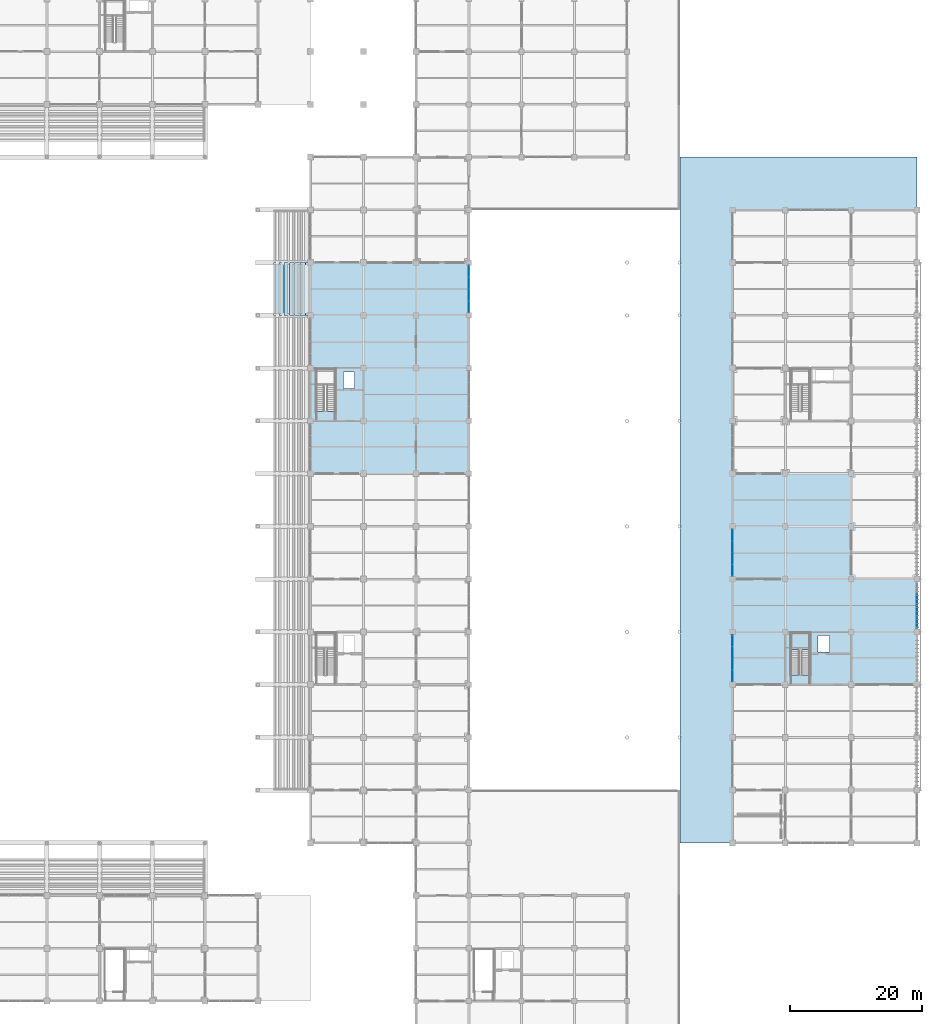
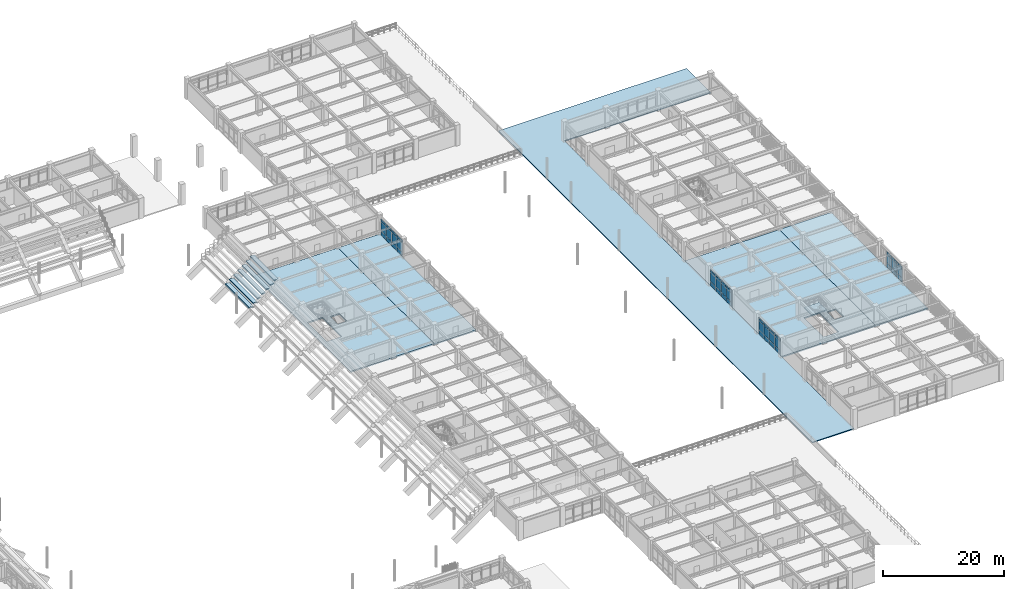
# One storey, part 77 of 118: 45 plates, 13 slabs, 5 elements without a shape of their own.
"""IFC4 building model written with IfcOpenShell, lengths in metres."""

from ifc_helpers import new_model, si_unit, direction, frame, origin, origin_2d, place, context, subcontext, project, spatial, polyline, rectangle, outline, extrude, material, layer, layer_set, type_object, element, aggregate, save


model = new_model("IFC4")

# Units and contexts
model_context = context("Model", 3, precision=1e-05, world=origin(), true_north=direction((0.0, 1.0)))
body_context = subcontext(model_context, "Body", "Model", "MODEL_VIEW")
ifc_project = project(units=[si_unit("LENGTHUNIT", "METRE"), si_unit("AREAUNIT", "SQUARE_METRE"), si_unit("VOLUMEUNIT", "CUBIC_METRE"), si_unit("PLANEANGLEUNIT", "RADIAN"), si_unit("MASSUNIT", "GRAM", prefix="KILO")], contexts=[model_context])

# Site, building, storey
site_placement = place(None, origin())
site = spatial("IfcSite", under=ifc_project, at=site_placement, CompositionType="ELEMENT")
building_placement = place(site_placement, origin())
building = spatial("IfcBuilding", under=site, at=building_placement, Name="Haebicheon Civic Stadium", CompositionType="ELEMENT")
storey_placement = place(building_placement, frame((0.0, 0.0, 14.39990234375)))
storey = spatial("IfcBuildingStorey", under=building, at=storey_placement, Name="L04", CompositionType="ELEMENT", Elevation=14.39990234375)

# Curtain wall, plates
ifc_material_1 = material(Name="Anodised aluminium and laminated glass", Category="aluminium")
ifc_layer_1 = layer(ifc_material_1, 0.179931640625, Name="Anodised aluminium and laminated glass")
ifc_layer_set_1 = layer_set([ifc_layer_1], Name="Anodised aluminium and laminated glass")
curtain_wall_type_1 = type_object("IfcCurtainWallType", Name="CW-7200x3350", PredefinedType="NOTDEFINED", material=ifc_layer_set_1)
curtain_wall_1_placement = place(storey_placement, origin())
curtain_wall_1 = element("IfcCurtainWall", 1, at=curtain_wall_1_placement, inside=storey, type_object=curtain_wall_type_1, material=ifc_layer_set_1, Name="L04 unitised curtain wall 158", PredefinedType="NOTDEFINED")
ifc_material_2 = material(Name="Double low-e acoustic laminated glass", Category="glass")
ifc_layer_2 = layer(ifc_material_2, 0.035888671875, Name="Double low-e acoustic laminated glass")
ifc_layer_set_2 = layer_set([ifc_layer_2], Name="Double low-e acoustic laminated glass")
plate_type_1 = type_object("IfcPlateType", Name="CWP-GLZ-36", PredefinedType="CURTAIN_PANEL", material=ifc_layer_set_2)
plate_1_placement = place(storey_placement, frame((168.0, 121.318115234375, 0.93505859375), z_axis=(0.0, 0.0, 1.0), x_axis=(0.0, 1.0, 0.0)))
plate_1 = element("IfcPlate", 2, at=plate_1_placement, type_object=plate_type_1, material=ifc_layer_set_2, Name="CW-L04-158 vision panel 1.2", PredefinedType="CURTAIN_PANEL", context=body_context, shape_type="SweptSolid", body=[
    extrude(rectangle(XDim=1.695068359375, YDim=0.035888671875, at=origin_2d()), origin(), (0.0, 0.0, 1.0), 1.830078125),
])
plate_2_placement = place(storey_placement, frame((168.0, 123.10009765625, 0.93505859375), z_axis=(0.0, 0.0, 1.0), x_axis=(0.0, 1.0, 0.0)))
plate_2 = element("IfcPlate", 3, at=plate_2_placement, type_object=plate_type_1, material=ifc_layer_set_2, Name="CW-L04-158 vision panel 2.2", PredefinedType="CURTAIN_PANEL", context=body_context, shape_type="SweptSolid", body=[
    extrude(rectangle(XDim=1.72998046875, YDim=0.035888671875, at=origin_2d()), origin(), (0.0, 0.0, 1.0), 1.830078125),
])
plate_3_placement = place(storey_placement, frame((168.0, 124.89990234375, 0.93505859375), z_axis=(0.0, 0.0, 1.0), x_axis=(0.0, 1.0, 0.0)))
plate_3 = element("IfcPlate", 4, at=plate_3_placement, type_object=plate_type_1, material=ifc_layer_set_2, Name="CW-L04-158 vision panel 3.2", PredefinedType="CURTAIN_PANEL", context=body_context, shape_type="SweptSolid", body=[
    extrude(rectangle(XDim=1.72998046875, YDim=0.035888671875, at=origin_2d()), origin(), (0.0, 0.0, 1.0), 1.830078125),
])
plate_4_placement = place(storey_placement, frame((168.0, 126.681884765625, 0.93505859375), z_axis=(0.0, 0.0, 1.0), x_axis=(0.0, 1.0, 0.0)))
plate_4 = element("IfcPlate", 5, at=plate_4_placement, type_object=plate_type_1, material=ifc_layer_set_2, Name="CW-L04-158 vision panel 4.2", PredefinedType="CURTAIN_PANEL", context=body_context, shape_type="SweptSolid", body=[
    extrude(rectangle(XDim=1.695068359375, YDim=0.035888671875, at=origin_2d()), origin(), (0.0, 0.0, 1.0), 1.830078125),
])

ifc_material_3 = material(Name="Anodised aluminium and laminated glass", Category="aluminium")
ifc_layer_3 = layer(ifc_material_3, 0.179931640625, Name="Anodised aluminium and laminated glass")
ifc_layer_set_3 = layer_set([ifc_layer_3], Name="Anodised aluminium and laminated glass")
curtain_wall_type_2 = type_object("IfcCurtainWallType", Name="CW-7100x3330", PredefinedType="NOTDEFINED", material=ifc_layer_set_3)
curtain_wall_2_placement = place(storey_placement, origin())
curtain_wall_2 = element("IfcCurtainWall", 6, at=curtain_wall_2_placement, inside=storey, type_object=curtain_wall_type_2, material=ifc_layer_set_3, Name="L04 unitised curtain wall 170", PredefinedType="NOTDEFINED")
plate_5_placement = place(storey_placement, frame((208.0, 65.35498046875, 0.93505859375), z_axis=(0.0, 0.0, 1.0), x_axis=(0.0, 1.0, 0.0)))
plate_5 = element("IfcPlate", 7, at=plate_5_placement, type_object=plate_type_1, material=ifc_layer_set_2, Name="CW-L04-170 vision panel 1.2", PredefinedType="CURTAIN_PANEL", context=body_context, shape_type="SweptSolid", body=[
    extrude(rectangle(XDim=1.669921875, YDim=0.035888671875, at=origin_2d()), origin(), (0.0, 0.0, 1.0), 1.81005859375),
])
plate_6_placement = place(storey_placement, frame((208.0, 67.112060546875, 0.93505859375), z_axis=(0.0, 0.0, 1.0), x_axis=(0.0, 1.0, 0.0)))
plate_6 = element("IfcPlate", 8, at=plate_6_placement, type_object=plate_type_1, material=ifc_layer_set_2, Name="CW-L04-170 vision panel 2.2", PredefinedType="CURTAIN_PANEL", context=body_context, shape_type="SweptSolid", body=[
    extrude(rectangle(XDim=1.705078125, YDim=0.035888671875, at=origin_2d()), origin(), (0.0, 0.0, 1.0), 1.81005859375),
])
plate_7_placement = place(storey_placement, frame((208.0, 68.887939453125, 0.93505859375), z_axis=(0.0, 0.0, 1.0), x_axis=(0.0, 1.0, 0.0)))
plate_7 = element("IfcPlate", 9, at=plate_7_placement, type_object=plate_type_1, material=ifc_layer_set_2, Name="CW-L04-170 vision panel 3.2", PredefinedType="CURTAIN_PANEL", context=body_context, shape_type="SweptSolid", body=[
    extrude(rectangle(XDim=1.705078125, YDim=0.035888671875, at=origin_2d()), origin(), (0.0, 0.0, 1.0), 1.81005859375),
])
plate_8_placement = place(storey_placement, frame((208.0, 70.64501953125, 0.93505859375), z_axis=(0.0, 0.0, 1.0), x_axis=(0.0, 1.0, 0.0)))
plate_8 = element("IfcPlate", 10, at=plate_8_placement, type_object=plate_type_1, material=ifc_layer_set_2, Name="CW-L04-170 vision panel 4.2", PredefinedType="CURTAIN_PANEL", context=body_context, shape_type="SweptSolid", body=[
    extrude(rectangle(XDim=1.669921875, YDim=0.035888671875, at=origin_2d()), origin(), (0.0, 0.0, 1.0), 1.81005859375),
])

curtain_wall_3_placement = place(storey_placement, origin())
curtain_wall_3 = element("IfcCurtainWall", 11, at=curtain_wall_3_placement, inside=storey, type_object=curtain_wall_type_2, material=ifc_layer_set_3, Name="L04 unitised curtain wall 171", PredefinedType="NOTDEFINED")
plate_9_placement = place(storey_placement, frame((208.0, 81.35498046875, 0.93505859375), z_axis=(0.0, 0.0, 1.0), x_axis=(0.0, 1.0, 0.0)))
plate_9 = element("IfcPlate", 12, at=plate_9_placement, type_object=plate_type_1, material=ifc_layer_set_2, Name="CW-L04-171 vision panel 1.2", PredefinedType="CURTAIN_PANEL", context=body_context, shape_type="SweptSolid", body=[
    extrude(rectangle(XDim=1.669921875, YDim=0.035888671875, at=origin_2d()), origin(), (0.0, 0.0, 1.0), 1.81005859375),
])
plate_10_placement = place(storey_placement, frame((208.0, 83.112060546875, 0.93505859375), z_axis=(0.0, 0.0, 1.0), x_axis=(0.0, 1.0, 0.0)))
plate_10 = element("IfcPlate", 13, at=plate_10_placement, type_object=plate_type_1, material=ifc_layer_set_2, Name="CW-L04-171 vision panel 2.2", PredefinedType="CURTAIN_PANEL", context=body_context, shape_type="SweptSolid", body=[
    extrude(rectangle(XDim=1.705078125, YDim=0.035888671875, at=origin_2d()), origin(), (0.0, 0.0, 1.0), 1.81005859375),
])
plate_11_placement = place(storey_placement, frame((208.0, 84.887939453125, 0.93505859375), z_axis=(0.0, 0.0, 1.0), x_axis=(0.0, 1.0, 0.0)))
plate_11 = element("IfcPlate", 14, at=plate_11_placement, type_object=plate_type_1, material=ifc_layer_set_2, Name="CW-L04-171 vision panel 3.2", PredefinedType="CURTAIN_PANEL", context=body_context, shape_type="SweptSolid", body=[
    extrude(rectangle(XDim=1.705078125, YDim=0.035888671875, at=origin_2d()), origin(), (0.0, 0.0, 1.0), 1.81005859375),
])
plate_12_placement = place(storey_placement, frame((208.0, 86.64501953125, 0.93505859375), z_axis=(0.0, 0.0, 1.0), x_axis=(0.0, 1.0, 0.0)))
plate_12 = element("IfcPlate", 15, at=plate_12_placement, type_object=plate_type_1, material=ifc_layer_set_2, Name="CW-L04-171 vision panel 4.2", PredefinedType="CURTAIN_PANEL", context=body_context, shape_type="SweptSolid", body=[
    extrude(rectangle(XDim=1.669921875, YDim=0.035888671875, at=origin_2d()), origin(), (0.0, 0.0, 1.0), 1.81005859375),
])

ifc_material_4 = material(Name="Anodised aluminium and laminated glass", Category="aluminium")
ifc_layer_4 = layer(ifc_material_4, 0.179931640625, Name="Anodised aluminium and laminated glass")
ifc_layer_set_4 = layer_set([ifc_layer_4], Name="Anodised aluminium and laminated glass")
curtain_wall_type_3 = type_object("IfcCurtainWallType", Name="CW-7100x3230", PredefinedType="NOTDEFINED", material=ifc_layer_set_4)
curtain_wall_4_placement = place(storey_placement, origin())
curtain_wall_4 = element("IfcCurtainWall", 16, at=curtain_wall_4_placement, inside=storey, type_object=curtain_wall_type_3, material=ifc_layer_set_4, Name="L04 unitised curtain wall 178", PredefinedType="NOTDEFINED")
plate_13_placement = place(storey_placement, frame((236.0, 73.35498046875, 0.93505859375), z_axis=(0.0, 0.0, 1.0), x_axis=(0.0, 1.0, 0.0)))
plate_13 = element("IfcPlate", 17, at=plate_13_placement, type_object=plate_type_1, material=ifc_layer_set_2, Name="CW-L04-178 vision panel 1.2", PredefinedType="CURTAIN_PANEL", context=body_context, shape_type="SweptSolid", body=[
    extrude(rectangle(XDim=1.669921875, YDim=0.035888671875, at=origin_2d()), origin(), (0.0, 0.0, 1.0), 1.7099609375),
])
plate_14_placement = place(storey_placement, frame((236.0, 75.112060546875, 0.93505859375), z_axis=(0.0, 0.0, 1.0), x_axis=(0.0, 1.0, 0.0)))
plate_14 = element("IfcPlate", 18, at=plate_14_placement, type_object=plate_type_1, material=ifc_layer_set_2, Name="CW-L04-178 vision panel 2.2", PredefinedType="CURTAIN_PANEL", context=body_context, shape_type="SweptSolid", body=[
    extrude(rectangle(XDim=1.705078125, YDim=0.035888671875, at=origin_2d()), origin(), (0.0, 0.0, 1.0), 1.7099609375),
])
plate_15_placement = place(storey_placement, frame((236.0, 76.887939453125, 0.93505859375), z_axis=(0.0, 0.0, 1.0), x_axis=(0.0, 1.0, 0.0)))
plate_15 = element("IfcPlate", 19, at=plate_15_placement, type_object=plate_type_1, material=ifc_layer_set_2, Name="CW-L04-178 vision panel 3.2", PredefinedType="CURTAIN_PANEL", context=body_context, shape_type="SweptSolid", body=[
    extrude(rectangle(XDim=1.705078125, YDim=0.035888671875, at=origin_2d()), origin(), (0.0, 0.0, 1.0), 1.7099609375),
])

# Plate
ifc_material_5 = material(Name="Anodised aluminium 6063-T6", Category="aluminium")
ifc_layer_5 = layer(ifc_material_5, 0.053955078125, Name="Anodised aluminium 6063-T6")
ifc_layer_set_5 = layer_set([ifc_layer_5], Name="Anodised aluminium 6063-T6")
plate_type_2 = type_object("IfcPlateType", Name="CWP-SPD-54", PredefinedType="CURTAIN_PANEL", material=ifc_layer_set_5)
plate_16_placement = place(storey_placement, frame((168.0, 121.318115234375, 0.03515625), z_axis=(0.0, 0.0, 1.0), x_axis=(0.0, 1.0, 0.0)))
plate_16 = element("IfcPlate", 20, at=plate_16_placement, type_object=plate_type_2, material=ifc_layer_set_5, Name="CW-L04-158 spandrel panel 1.1", PredefinedType="CURTAIN_PANEL", context=body_context, shape_type="SweptSolid", body=[
    extrude(rectangle(XDim=1.695068359375, YDim=0.053955078125, at=origin_2d()), origin(), (0.0, 0.0, 1.0), 0.830078125),
])

plate_17_placement = place(storey_placement, frame((168.0, 121.318115234375, 2.835205078125), z_axis=(0.0, 0.0, 1.0), x_axis=(0.0, 1.0, 0.0)))
plate_17 = element("IfcPlate", 21, at=plate_17_placement, type_object=plate_type_2, material=ifc_layer_set_5, Name="CW-L04-158 spandrel panel 1.3", PredefinedType="CURTAIN_PANEL", context=body_context, shape_type="SweptSolid", body=[
    extrude(rectangle(XDim=1.695068359375, YDim=0.053955078125, at=origin_2d()), origin(), (0.0, 0.0, 1.0), 0.47998046875),
])

plate_18_placement = place(storey_placement, frame((168.0, 123.10009765625, 0.03515625), z_axis=(0.0, 0.0, 1.0), x_axis=(0.0, 1.0, 0.0)))
plate_18 = element("IfcPlate", 22, at=plate_18_placement, type_object=plate_type_2, material=ifc_layer_set_5, Name="CW-L04-158 spandrel panel 2.1", PredefinedType="CURTAIN_PANEL", context=body_context, shape_type="SweptSolid", body=[
    extrude(rectangle(XDim=1.72998046875, YDim=0.053955078125, at=origin_2d()), origin(), (0.0, 0.0, 1.0), 0.830078125),
])

plate_19_placement = place(storey_placement, frame((168.0, 123.10009765625, 2.835205078125), z_axis=(0.0, 0.0, 1.0), x_axis=(0.0, 1.0, 0.0)))
plate_19 = element("IfcPlate", 23, at=plate_19_placement, type_object=plate_type_2, material=ifc_layer_set_5, Name="CW-L04-158 spandrel panel 2.3", PredefinedType="CURTAIN_PANEL", context=body_context, shape_type="SweptSolid", body=[
    extrude(rectangle(XDim=1.72998046875, YDim=0.053955078125, at=origin_2d()), origin(), (0.0, 0.0, 1.0), 0.47998046875),
])

plate_20_placement = place(storey_placement, frame((168.0, 124.89990234375, 0.03515625), z_axis=(0.0, 0.0, 1.0), x_axis=(0.0, 1.0, 0.0)))
plate_20 = element("IfcPlate", 24, at=plate_20_placement, type_object=plate_type_2, material=ifc_layer_set_5, Name="CW-L04-158 spandrel panel 3.1", PredefinedType="CURTAIN_PANEL", context=body_context, shape_type="SweptSolid", body=[
    extrude(rectangle(XDim=1.72998046875, YDim=0.053955078125, at=origin_2d()), origin(), (0.0, 0.0, 1.0), 0.830078125),
])

plate_21_placement = place(storey_placement, frame((168.0, 124.89990234375, 2.835205078125), z_axis=(0.0, 0.0, 1.0), x_axis=(0.0, 1.0, 0.0)))
plate_21 = element("IfcPlate", 25, at=plate_21_placement, type_object=plate_type_2, material=ifc_layer_set_5, Name="CW-L04-158 spandrel panel 3.3", PredefinedType="CURTAIN_PANEL", context=body_context, shape_type="SweptSolid", body=[
    extrude(rectangle(XDim=1.72998046875, YDim=0.053955078125, at=origin_2d()), origin(), (0.0, 0.0, 1.0), 0.47998046875),
])

plate_22_placement = place(storey_placement, frame((168.0, 126.681884765625, 0.03515625), z_axis=(0.0, 0.0, 1.0), x_axis=(0.0, 1.0, 0.0)))
plate_22 = element("IfcPlate", 26, at=plate_22_placement, type_object=plate_type_2, material=ifc_layer_set_5, Name="CW-L04-158 spandrel panel 4.1", PredefinedType="CURTAIN_PANEL", context=body_context, shape_type="SweptSolid", body=[
    extrude(rectangle(XDim=1.695068359375, YDim=0.053955078125, at=origin_2d()), origin(), (0.0, 0.0, 1.0), 0.830078125),
])

plate_23_placement = place(storey_placement, frame((168.0, 126.681884765625, 2.835205078125), z_axis=(0.0, 0.0, 1.0), x_axis=(0.0, 1.0, 0.0)))
plate_23 = element("IfcPlate", 27, at=plate_23_placement, type_object=plate_type_2, material=ifc_layer_set_5, Name="CW-L04-158 spandrel panel 4.3", PredefinedType="CURTAIN_PANEL", context=body_context, shape_type="SweptSolid", body=[
    extrude(rectangle(XDim=1.695068359375, YDim=0.053955078125, at=origin_2d()), origin(), (0.0, 0.0, 1.0), 0.47998046875),
])

aggregate(curtain_wall_1, [plate_16, plate_1, plate_17, plate_18, plate_2, plate_19, plate_20, plate_3, plate_21, plate_22, plate_4, plate_23])

plate_24_placement = place(storey_placement, frame((208.0, 65.35498046875, 0.03515625), z_axis=(0.0, 0.0, 1.0), x_axis=(0.0, 1.0, 0.0)))
plate_24 = element("IfcPlate", 28, at=plate_24_placement, type_object=plate_type_2, material=ifc_layer_set_5, Name="CW-L04-170 spandrel panel 1.1", PredefinedType="CURTAIN_PANEL", context=body_context, shape_type="SweptSolid", body=[
    extrude(rectangle(XDim=1.669921875, YDim=0.053955078125, at=origin_2d()), origin(), (0.0, 0.0, 1.0), 0.830078125),
])

plate_25_placement = place(storey_placement, frame((208.0, 65.35498046875, 2.815185546875), z_axis=(0.0, 0.0, 1.0), x_axis=(0.0, 1.0, 0.0)))
plate_25 = element("IfcPlate", 29, at=plate_25_placement, type_object=plate_type_2, material=ifc_layer_set_5, Name="CW-L04-170 spandrel panel 1.3", PredefinedType="CURTAIN_PANEL", context=body_context, shape_type="SweptSolid", body=[
    extrude(rectangle(XDim=1.669921875, YDim=0.053955078125, at=origin_2d()), origin(), (0.0, 0.0, 1.0), 0.47998046875),
])

plate_26_placement = place(storey_placement, frame((208.0, 67.112060546875, 0.03515625), z_axis=(0.0, 0.0, 1.0), x_axis=(0.0, 1.0, 0.0)))
plate_26 = element("IfcPlate", 30, at=plate_26_placement, type_object=plate_type_2, material=ifc_layer_set_5, Name="CW-L04-170 spandrel panel 2.1", PredefinedType="CURTAIN_PANEL", context=body_context, shape_type="SweptSolid", body=[
    extrude(rectangle(XDim=1.705078125, YDim=0.053955078125, at=origin_2d()), origin(), (0.0, 0.0, 1.0), 0.830078125),
])

plate_27_placement = place(storey_placement, frame((208.0, 67.112060546875, 2.815185546875), z_axis=(0.0, 0.0, 1.0), x_axis=(0.0, 1.0, 0.0)))
plate_27 = element("IfcPlate", 31, at=plate_27_placement, type_object=plate_type_2, material=ifc_layer_set_5, Name="CW-L04-170 spandrel panel 2.3", PredefinedType="CURTAIN_PANEL", context=body_context, shape_type="SweptSolid", body=[
    extrude(rectangle(XDim=1.705078125, YDim=0.053955078125, at=origin_2d()), origin(), (0.0, 0.0, 1.0), 0.47998046875),
])

plate_28_placement = place(storey_placement, frame((208.0, 68.887939453125, 0.03515625), z_axis=(0.0, 0.0, 1.0), x_axis=(0.0, 1.0, 0.0)))
plate_28 = element("IfcPlate", 32, at=plate_28_placement, type_object=plate_type_2, material=ifc_layer_set_5, Name="CW-L04-170 spandrel panel 3.1", PredefinedType="CURTAIN_PANEL", context=body_context, shape_type="SweptSolid", body=[
    extrude(rectangle(XDim=1.705078125, YDim=0.053955078125, at=origin_2d()), origin(), (0.0, 0.0, 1.0), 0.830078125),
])

plate_29_placement = place(storey_placement, frame((208.0, 68.887939453125, 2.815185546875), z_axis=(0.0, 0.0, 1.0), x_axis=(0.0, 1.0, 0.0)))
plate_29 = element("IfcPlate", 33, at=plate_29_placement, type_object=plate_type_2, material=ifc_layer_set_5, Name="CW-L04-170 spandrel panel 3.3", PredefinedType="CURTAIN_PANEL", context=body_context, shape_type="SweptSolid", body=[
    extrude(rectangle(XDim=1.705078125, YDim=0.053955078125, at=origin_2d()), origin(), (0.0, 0.0, 1.0), 0.47998046875),
])

plate_30_placement = place(storey_placement, frame((208.0, 70.64501953125, 0.03515625), z_axis=(0.0, 0.0, 1.0), x_axis=(0.0, 1.0, 0.0)))
plate_30 = element("IfcPlate", 34, at=plate_30_placement, type_object=plate_type_2, material=ifc_layer_set_5, Name="CW-L04-170 spandrel panel 4.1", PredefinedType="CURTAIN_PANEL", context=body_context, shape_type="SweptSolid", body=[
    extrude(rectangle(XDim=1.669921875, YDim=0.053955078125, at=origin_2d()), origin(), (0.0, 0.0, 1.0), 0.830078125),
])

plate_31_placement = place(storey_placement, frame((208.0, 70.64501953125, 2.815185546875), z_axis=(0.0, 0.0, 1.0), x_axis=(0.0, 1.0, 0.0)))
plate_31 = element("IfcPlate", 35, at=plate_31_placement, type_object=plate_type_2, material=ifc_layer_set_5, Name="CW-L04-170 spandrel panel 4.3", PredefinedType="CURTAIN_PANEL", context=body_context, shape_type="SweptSolid", body=[
    extrude(rectangle(XDim=1.669921875, YDim=0.053955078125, at=origin_2d()), origin(), (0.0, 0.0, 1.0), 0.47998046875),
])

aggregate(curtain_wall_2, [plate_24, plate_5, plate_25, plate_26, plate_6, plate_27, plate_28, plate_7, plate_29, plate_30, plate_8, plate_31])

plate_32_placement = place(storey_placement, frame((208.0, 81.35498046875, 0.03515625), z_axis=(0.0, 0.0, 1.0), x_axis=(0.0, 1.0, 0.0)))
plate_32 = element("IfcPlate", 36, at=plate_32_placement, type_object=plate_type_2, material=ifc_layer_set_5, Name="CW-L04-171 spandrel panel 1.1", PredefinedType="CURTAIN_PANEL", context=body_context, shape_type="SweptSolid", body=[
    extrude(rectangle(XDim=1.669921875, YDim=0.053955078125, at=origin_2d()), origin(), (0.0, 0.0, 1.0), 0.830078125),
])

plate_33_placement = place(storey_placement, frame((208.0, 81.35498046875, 2.815185546875), z_axis=(0.0, 0.0, 1.0), x_axis=(0.0, 1.0, 0.0)))
plate_33 = element("IfcPlate", 37, at=plate_33_placement, type_object=plate_type_2, material=ifc_layer_set_5, Name="CW-L04-171 spandrel panel 1.3", PredefinedType="CURTAIN_PANEL", context=body_context, shape_type="SweptSolid", body=[
    extrude(rectangle(XDim=1.669921875, YDim=0.053955078125, at=origin_2d()), origin(), (0.0, 0.0, 1.0), 0.47998046875),
])

plate_34_placement = place(storey_placement, frame((208.0, 83.112060546875, 0.03515625), z_axis=(0.0, 0.0, 1.0), x_axis=(0.0, 1.0, 0.0)))
plate_34 = element("IfcPlate", 38, at=plate_34_placement, type_object=plate_type_2, material=ifc_layer_set_5, Name="CW-L04-171 spandrel panel 2.1", PredefinedType="CURTAIN_PANEL", context=body_context, shape_type="SweptSolid", body=[
    extrude(rectangle(XDim=1.705078125, YDim=0.053955078125, at=origin_2d()), origin(), (0.0, 0.0, 1.0), 0.830078125),
])

plate_35_placement = place(storey_placement, frame((208.0, 83.112060546875, 2.815185546875), z_axis=(0.0, 0.0, 1.0), x_axis=(0.0, 1.0, 0.0)))
plate_35 = element("IfcPlate", 39, at=plate_35_placement, type_object=plate_type_2, material=ifc_layer_set_5, Name="CW-L04-171 spandrel panel 2.3", PredefinedType="CURTAIN_PANEL", context=body_context, shape_type="SweptSolid", body=[
    extrude(rectangle(XDim=1.705078125, YDim=0.053955078125, at=origin_2d()), origin(), (0.0, 0.0, 1.0), 0.47998046875),
])

plate_36_placement = place(storey_placement, frame((208.0, 84.887939453125, 0.03515625), z_axis=(0.0, 0.0, 1.0), x_axis=(0.0, 1.0, 0.0)))
plate_36 = element("IfcPlate", 40, at=plate_36_placement, type_object=plate_type_2, material=ifc_layer_set_5, Name="CW-L04-171 spandrel panel 3.1", PredefinedType="CURTAIN_PANEL", context=body_context, shape_type="SweptSolid", body=[
    extrude(rectangle(XDim=1.705078125, YDim=0.053955078125, at=origin_2d()), origin(), (0.0, 0.0, 1.0), 0.830078125),
])

plate_37_placement = place(storey_placement, frame((208.0, 84.887939453125, 2.815185546875), z_axis=(0.0, 0.0, 1.0), x_axis=(0.0, 1.0, 0.0)))
plate_37 = element("IfcPlate", 41, at=plate_37_placement, type_object=plate_type_2, material=ifc_layer_set_5, Name="CW-L04-171 spandrel panel 3.3", PredefinedType="CURTAIN_PANEL", context=body_context, shape_type="SweptSolid", body=[
    extrude(rectangle(XDim=1.705078125, YDim=0.053955078125, at=origin_2d()), origin(), (0.0, 0.0, 1.0), 0.47998046875),
])

plate_38_placement = place(storey_placement, frame((208.0, 86.64501953125, 0.03515625), z_axis=(0.0, 0.0, 1.0), x_axis=(0.0, 1.0, 0.0)))
plate_38 = element("IfcPlate", 42, at=plate_38_placement, type_object=plate_type_2, material=ifc_layer_set_5, Name="CW-L04-171 spandrel panel 4.1", PredefinedType="CURTAIN_PANEL", context=body_context, shape_type="SweptSolid", body=[
    extrude(rectangle(XDim=1.669921875, YDim=0.053955078125, at=origin_2d()), origin(), (0.0, 0.0, 1.0), 0.830078125),
])

plate_39_placement = place(storey_placement, frame((208.0, 86.64501953125, 2.815185546875), z_axis=(0.0, 0.0, 1.0), x_axis=(0.0, 1.0, 0.0)))
plate_39 = element("IfcPlate", 43, at=plate_39_placement, type_object=plate_type_2, material=ifc_layer_set_5, Name="CW-L04-171 spandrel panel 4.3", PredefinedType="CURTAIN_PANEL", context=body_context, shape_type="SweptSolid", body=[
    extrude(rectangle(XDim=1.669921875, YDim=0.053955078125, at=origin_2d()), origin(), (0.0, 0.0, 1.0), 0.47998046875),
])

aggregate(curtain_wall_3, [plate_32, plate_9, plate_33, plate_34, plate_10, plate_35, plate_36, plate_11, plate_37, plate_38, plate_12, plate_39])

plate_40_placement = place(storey_placement, frame((236.0, 73.35498046875, 0.03515625), z_axis=(0.0, 0.0, 1.0), x_axis=(0.0, 1.0, 0.0)))
plate_40 = element("IfcPlate", 44, at=plate_40_placement, type_object=plate_type_2, material=ifc_layer_set_5, Name="CW-L04-178 spandrel panel 1.1", PredefinedType="CURTAIN_PANEL", context=body_context, shape_type="SweptSolid", body=[
    extrude(rectangle(XDim=1.669921875, YDim=0.053955078125, at=origin_2d()), origin(), (0.0, 0.0, 1.0), 0.830078125),
])

plate_41_placement = place(storey_placement, frame((236.0, 73.35498046875, 2.715087890625), z_axis=(0.0, 0.0, 1.0), x_axis=(0.0, 1.0, 0.0)))
plate_41 = element("IfcPlate", 45, at=plate_41_placement, type_object=plate_type_2, material=ifc_layer_set_5, Name="CW-L04-178 spandrel panel 1.3", PredefinedType="CURTAIN_PANEL", context=body_context, shape_type="SweptSolid", body=[
    extrude(rectangle(XDim=1.669921875, YDim=0.053955078125, at=origin_2d()), origin(), (0.0, 0.0, 1.0), 0.47998046875),
])

plate_42_placement = place(storey_placement, frame((236.0, 75.112060546875, 0.03515625), z_axis=(0.0, 0.0, 1.0), x_axis=(0.0, 1.0, 0.0)))
plate_42 = element("IfcPlate", 46, at=plate_42_placement, type_object=plate_type_2, material=ifc_layer_set_5, Name="CW-L04-178 spandrel panel 2.1", PredefinedType="CURTAIN_PANEL", context=body_context, shape_type="SweptSolid", body=[
    extrude(rectangle(XDim=1.705078125, YDim=0.053955078125, at=origin_2d()), origin(), (0.0, 0.0, 1.0), 0.830078125),
])

plate_43_placement = place(storey_placement, frame((236.0, 75.112060546875, 2.715087890625), z_axis=(0.0, 0.0, 1.0), x_axis=(0.0, 1.0, 0.0)))
plate_43 = element("IfcPlate", 47, at=plate_43_placement, type_object=plate_type_2, material=ifc_layer_set_5, Name="CW-L04-178 spandrel panel 2.3", PredefinedType="CURTAIN_PANEL", context=body_context, shape_type="SweptSolid", body=[
    extrude(rectangle(XDim=1.705078125, YDim=0.053955078125, at=origin_2d()), origin(), (0.0, 0.0, 1.0), 0.47998046875),
])

plate_44_placement = place(storey_placement, frame((236.0, 76.887939453125, 0.03515625), z_axis=(0.0, 0.0, 1.0), x_axis=(0.0, 1.0, 0.0)))
plate_44 = element("IfcPlate", 48, at=plate_44_placement, type_object=plate_type_2, material=ifc_layer_set_5, Name="CW-L04-178 spandrel panel 3.1", PredefinedType="CURTAIN_PANEL", context=body_context, shape_type="SweptSolid", body=[
    extrude(rectangle(XDim=1.705078125, YDim=0.053955078125, at=origin_2d()), origin(), (0.0, 0.0, 1.0), 0.830078125),
])

plate_45_placement = place(storey_placement, frame((236.0, 76.887939453125, 2.715087890625), z_axis=(0.0, 0.0, 1.0), x_axis=(0.0, 1.0, 0.0)))
plate_45 = element("IfcPlate", 49, at=plate_45_placement, type_object=plate_type_2, material=ifc_layer_set_5, Name="CW-L04-178 spandrel panel 3.3", PredefinedType="CURTAIN_PANEL", context=body_context, shape_type="SweptSolid", body=[
    extrude(rectangle(XDim=1.705078125, YDim=0.053955078125, at=origin_2d()), origin(), (0.0, 0.0, 1.0), 0.47998046875),
])

aggregate(curtain_wall_4, [plate_40, plate_13, plate_41, plate_42, plate_14, plate_43, plate_44, plate_15, plate_45])

# Slabs
ifc_material_6 = material(Name="Concrete C40/50", Category="concrete")
ifc_layer_6 = layer(ifc_material_6, 0.260009765625, Name="Concrete C40/50")
ifc_layer_set_6 = layer_set([ifc_layer_6], Name="Concrete C40/50")
slab_type_1 = type_object("IfcSlabType", Name="SLB-FLR-260", PredefinedType="FLOOR", material=ifc_layer_set_6)
slab_1_placement = place(storey_placement, frame((0.0, 0.0, -0.260009765625)))
element("IfcSlab", 50, at=slab_1_placement, inside=storey, type_object=slab_type_1, material=ifc_layer_set_6, Name="L04 V2 structural slab 10.1", PredefinedType="FLOOR", context=body_context, shape_type="SweptSolid", body=[
    extrude(outline(polyline([(144.0, 112.0), (144.0, 120.0), (144.0, 128.0), (152.0, 128.0), (160.0, 128.0), (160.0, 120.0), (160.0, 112.0), (160.0, 104.0), (160.0, 96.0), (152.0, 96.0), (144.0, 96.0), (144.0, 104.0), (144.0, 112.0)]), holes=[polyline([(144.840087890625, 105.4599609375), (147.739990234375, 105.4599609375), (147.739990234375, 111.840087890625), (144.840087890625, 111.840087890625), (144.840087890625, 105.4599609375)]), polyline([(148.969970703125, 108.929931640625), (150.669921875, 108.929931640625), (150.669921875, 111.429931640625), (148.969970703125, 111.429931640625), (148.969970703125, 108.929931640625)])]), origin(), (0.0, 0.0, 1.0), 0.260009765625),
])
slab_2_placement = place(storey_placement, frame((0.0, 0.0, -0.260009765625)))
element("IfcSlab", 51, at=slab_2_placement, inside=storey, type_object=slab_type_1, material=ifc_layer_set_6, Name="L04 V3 structural slab 2.1", PredefinedType="FLOOR", context=body_context, shape_type="SweptSolid", body=[
    extrude(outline(polyline([(208.0, 80.0), (208.0, 88.0), (208.0, 96.0), (216.0, 96.0), (226.0, 96.0), (226.0, 88.0), (226.0, 80.0), (226.0, 72.0), (226.0, 64.0), (216.0, 64.0), (208.0, 64.0), (208.0, 72.0), (208.0, 80.0)]), holes=[polyline([(216.840087890625, 65.4599609375), (219.739990234375, 65.4599609375), (219.739990234375, 71.840087890625), (216.840087890625, 71.840087890625), (216.840087890625, 65.4599609375)]), polyline([(220.969970703125, 68.929931640625), (222.669921875, 68.929931640625), (222.669921875, 71.429931640625), (220.969970703125, 71.429931640625), (220.969970703125, 68.929931640625)])]), origin(), (0.0, 0.0, 1.0), 0.260009765625),
])
slab_3_placement = place(storey_placement, frame((0.0, 0.0, -0.260009765625)))
element("IfcSlab", 52, at=slab_3_placement, inside=storey, type_object=slab_type_1, material=ifc_layer_set_6, Name="L04 V3 structural slab 6.1", PredefinedType="FLOOR", context=body_context, shape_type="SweptSolid", body=[
    extrude(outline(polyline([(226.0, 64.0), (226.0, 72.0), (226.0, 80.0), (226.0, 88.0), (226.0, 96.0), (236.0, 96.0), (236.0, 88.0), (236.0, 80.0), (236.0, 72.0), (236.0, 64.0), (226.0, 64.0)])), origin(), (0.0, 0.0, 1.0), 0.260009765625),
])
slab_4_placement = place(storey_placement, frame((0.0, 0.0, -0.260009765625)))
element("IfcSlab", 53, at=slab_4_placement, inside=storey, type_object=slab_type_1, material=ifc_layer_set_6, Name="L04 V4 structural slab 4.1", PredefinedType="FLOOR", context=body_context, shape_type="SweptSolid", body=[
    extrude(outline(polyline([(160.0, 96.0), (160.0, 104.0), (160.0, 112.0), (160.0, 120.0), (160.0, 128.0), (168.0, 128.0), (168.0, 120.0), (168.0, 112.0), (168.0, 104.0), (168.0, 96.0), (160.0, 96.0)])), origin(), (0.0, 0.0, 1.0), 0.260009765625),
])

# Stair, slab
ifc_material_7 = material(Name="Concrete C40/50", Category="concrete")
stair_type = type_object("IfcStairType", Name="STR-DL-W128-H42", PredefinedType="HALF_TURN_STAIR", material=ifc_material_7)
stair_placement = place(storey_placement, origin())
stair = element("IfcStair", 54, at=stair_placement, inside=storey, type_object=stair_type, material=ifc_material_7, Name="L04 Escape stair ST-12", PredefinedType="HALF_TURN_STAIR")
ifc_material_8 = material(Name="Concrete C40/50", Category="concrete")
ifc_layer_7 = layer(ifc_material_8, 0.199951171875, Name="Concrete C40/50")
ifc_layer_set_7 = layer_set([ifc_layer_7], Name="Concrete C40/50")
slab_type_2 = type_object("IfcSlabType", Name="SLB-LND-200", PredefinedType="LANDING", material=ifc_layer_set_7)
slab_5_placement = place(storey_placement, frame((0.0, 0.0, 1.900146484375)))
slab_5 = element("IfcSlab", 55, at=slab_5_placement, type_object=slab_type_2, material=ifc_layer_set_7, Name="ST-12 landing 1", PredefinedType="LANDING", context=body_context, shape_type="SweptSolid", body=[
    extrude(outline(polyline([(219.739990234375, 69.35009765625), (219.739990234375, 71.840087890625), (216.840087890625, 71.840087890625), (216.840087890625, 69.35009765625), (219.739990234375, 69.35009765625)])), origin(), (0.0, 0.0, 1.0), 0.199951171875),
])
aggregate(stair, [slab_5])

# Slabs
ifc_material_9 = material(Name="Concrete C40/50", Category="concrete")
ifc_layer_8 = layer(ifc_material_9, 0.18994140625, Name="Concrete C40/50")
ifc_layer_set_8 = layer_set([ifc_layer_8], Name="Concrete C40/50")
slab_type_3 = type_object("IfcSlabType", Name="SLB-ROOF-190", PredefinedType="ROOF", material=ifc_layer_set_8)
slab_6_placement = place(storey_placement, frame((0.0, 0.0, -0.18994140625)))
element("IfcSlab", 56, at=slab_6_placement, inside=storey, type_object=slab_type_3, material=ifc_layer_set_8, Name="L04 V3 roof deck slab 1", PredefinedType="ROOF", context=body_context, shape_type="SweptSolid", body=[
    extrude(outline(polyline([(200.0, 40.0), (200.0, 144.0), (236.0, 144.0), (236.0, 136.0), (208.0, 136.0), (208.0, 40.0), (200.0, 40.0)])), origin(), (0.0, 0.0, 1.0), 0.18994140625),
])
ifc_material_10 = material(Name="Precast concrete C40/50", Category="concrete")
ifc_layer_9 = layer(ifc_material_10, 0.239990234375, Name="Precast concrete C40/50")
ifc_layer_set_9 = layer_set([ifc_layer_9], Name="Precast concrete C40/50")
slab_type_4 = type_object("IfcSlabType", Name="SLB-TIER-240", PredefinedType="USERDEFINED", material=ifc_layer_set_9)
slab_7_placement = place(storey_placement, frame((0.0, 0.0, 0.093017578125)))
element("IfcSlab", 57, at=slab_7_placement, inside=storey, type_object=slab_type_4, material=ifc_layer_set_9, Name="TIER-E-U precast seating tier bay 10 row-band 4", ObjectType="SEATING TIER", PredefinedType="USERDEFINED", context=body_context, shape_type="SweptSolid", body=[
    extrude(outline(polyline([(138.39990234375, 120.0), (139.199951171875, 120.0), (139.199951171875, 128.0), (138.39990234375, 128.0), (138.39990234375, 120.0)])), origin(), (0.0, 0.0, 1.0), 0.239990234375),
])
slab_8_placement = place(storey_placement, frame((0.0, 0.0, 0.738037109375)))
element("IfcSlab", 58, at=slab_8_placement, inside=storey, type_object=slab_type_4, material=ifc_layer_set_9, Name="TIER-E-U precast seating tier bay 10 row-band 5", ObjectType="SEATING TIER", PredefinedType="USERDEFINED", context=body_context, shape_type="SweptSolid", body=[
    extrude(outline(polyline([(139.199951171875, 120.0), (140.0, 120.0), (140.0, 128.0), (139.199951171875, 128.0), (139.199951171875, 120.0)])), origin(), (0.0, 0.0, 1.0), 0.239990234375),
])
slab_9_placement = place(storey_placement, frame((0.0, 0.0, 1.382080078125)))
element("IfcSlab", 59, at=slab_9_placement, inside=storey, type_object=slab_type_4, material=ifc_layer_set_9, Name="TIER-E-U precast seating tier bay 10 row-band 6", ObjectType="SEATING TIER", PredefinedType="USERDEFINED", context=body_context, shape_type="SweptSolid", body=[
    extrude(outline(polyline([(140.0, 120.0), (140.800048828125, 120.0), (140.800048828125, 128.0), (140.0, 128.0), (140.0, 120.0)])), origin(), (0.0, 0.0, 1.0), 0.239990234375),
])
slab_10_placement = place(storey_placement, frame((0.0, 0.0, 2.027099609375)))
element("IfcSlab", 60, at=slab_10_placement, inside=storey, type_object=slab_type_4, material=ifc_layer_set_9, Name="TIER-E-U precast seating tier bay 10 row-band 7", ObjectType="SEATING TIER", PredefinedType="USERDEFINED", context=body_context, shape_type="SweptSolid", body=[
    extrude(outline(polyline([(140.800048828125, 120.0), (141.60009765625, 120.0), (141.60009765625, 128.0), (140.800048828125, 128.0), (140.800048828125, 120.0)])), origin(), (0.0, 0.0, 1.0), 0.239990234375),
])
slab_11_placement = place(storey_placement, frame((0.0, 0.0, 2.671142578125)))
element("IfcSlab", 61, at=slab_11_placement, inside=storey, type_object=slab_type_4, material=ifc_layer_set_9, Name="TIER-E-U precast seating tier bay 10 row-band 8", ObjectType="SEATING TIER", PredefinedType="USERDEFINED", context=body_context, shape_type="SweptSolid", body=[
    extrude(outline(polyline([(141.60009765625, 120.0), (142.39990234375, 120.0), (142.39990234375, 128.0), (141.60009765625, 128.0), (141.60009765625, 120.0)])), origin(), (0.0, 0.0, 1.0), 0.239990234375),
])
slab_12_placement = place(storey_placement, frame((0.0, 0.0, 3.316162109375)))
element("IfcSlab", 62, at=slab_12_placement, inside=storey, type_object=slab_type_4, material=ifc_layer_set_9, Name="TIER-E-U precast seating tier bay 10 row-band 9", ObjectType="SEATING TIER", PredefinedType="USERDEFINED", context=body_context, shape_type="SweptSolid", body=[
    extrude(outline(polyline([(142.39990234375, 120.0), (143.199951171875, 120.0), (143.199951171875, 128.0), (142.39990234375, 128.0), (142.39990234375, 120.0)])), origin(), (0.0, 0.0, 1.0), 0.239990234375),
])
slab_13_placement = place(storey_placement, frame((0.0, 0.0, 3.960205078125)))
element("IfcSlab", 63, at=slab_13_placement, inside=storey, type_object=slab_type_4, material=ifc_layer_set_9, Name="TIER-E-U precast seating tier bay 10 row-band 10", ObjectType="SEATING TIER", PredefinedType="USERDEFINED", context=body_context, shape_type="SweptSolid", body=[
    extrude(outline(polyline([(143.199951171875, 120.0), (144.0, 120.0), (144.0, 128.0), (143.199951171875, 128.0), (143.199951171875, 120.0)])), origin(), (0.0, 0.0, 1.0), 0.239990234375),
])

save(model, "model.ifc")
